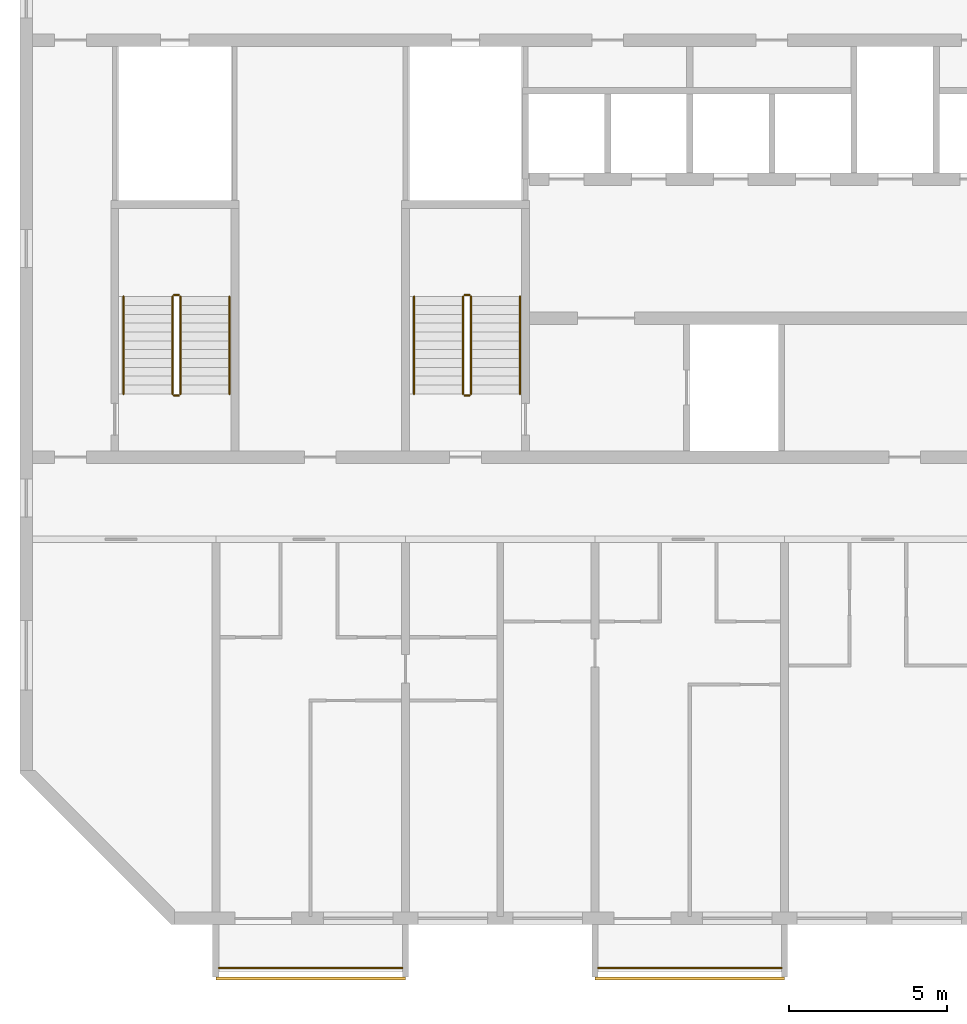
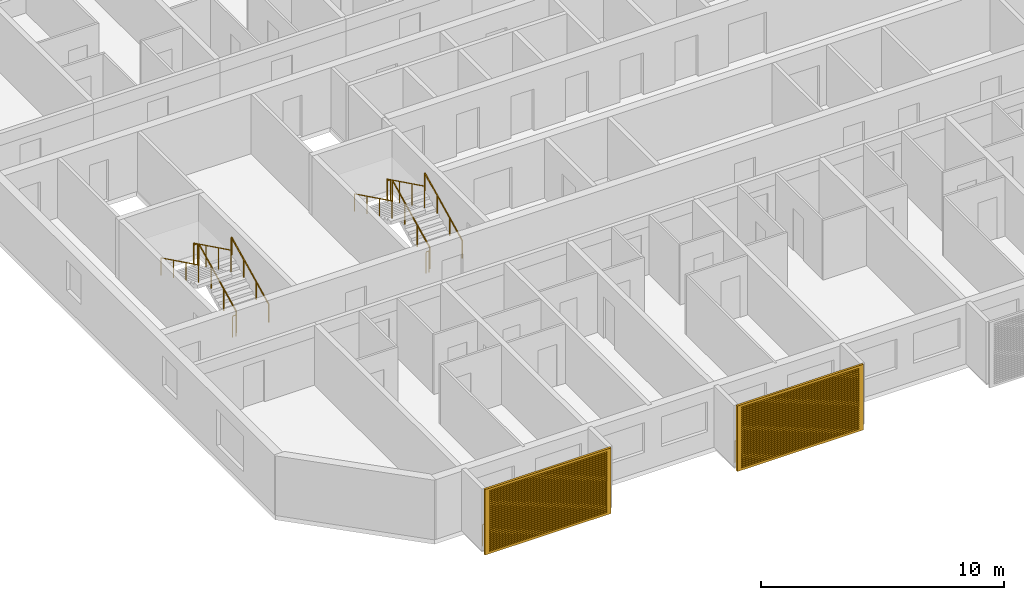
# One storey, part 13 of 27: 14 railings, 2 shading devices.
"""IFC4 building model written with IfcOpenShell, lengths in metres."""

from ifc_helpers import new_model, si_unit, direction, frame, origin, origin_2d, place, context, subcontext, project, spatial, polyline, circle, outline, extrude, source, transform, mapped, material, material_profile, profile_set, type_object, element, save


model = new_model("IFC4")

# Units and contexts
model_context = context("Model", 3, precision=1e-05, world=origin(), true_north=direction((0.0, 1.0)))
body_context = subcontext(model_context, "Body", "Model", "MODEL_VIEW")
ifc_project = project(units=[si_unit("LENGTHUNIT", "METRE"), si_unit("AREAUNIT", "SQUARE_METRE"), si_unit("VOLUMEUNIT", "CUBIC_METRE"), si_unit("PLANEANGLEUNIT", "RADIAN"), si_unit("MASSUNIT", "GRAM", prefix="KILO")], contexts=[model_context])

# Site, building, storey
site_placement = place(None, origin())
site = spatial("IfcSite", under=ifc_project, at=site_placement, CompositionType="ELEMENT")
building_placement = place(site_placement, origin())
building = spatial("IfcBuilding", under=site, at=building_placement, Name="Poui Terraces", CompositionType="ELEMENT")
storey_placement = place(building_placement, frame((0.0, 0.0, 208.199951171875)))
storey = spatial("IfcBuildingStorey", under=building, at=storey_placement, Name="L58", CompositionType="ELEMENT", Elevation=208.199951171875)

# Railings
ifc_material_1 = material(Name="Painted steel fretwork", Category="steel")
railing_type_1 = type_object("IfcRailingType", Name="BALCONY GUARD 1100", PredefinedType="GUARDRAIL", material=ifc_material_1)
for number, where, name in (
    (1, (24.10009765625, -1.570068359375, 0.0), "BALCONY GUARD"),
    (2, (36.10009765625, -1.570068359375, 0.0), "BALCONY GUARD"),
):
    element("IfcRailing", number, at=place(storey_placement, frame(where)), inside=storey, type_object=railing_type_1, Name=name, PredefinedType="GUARDRAIL", context=body_context, shape_type="SweptSolid", body=[
        extrude(circle(Radius=0.02392578125, at=origin_2d()), frame((0.0, 0.0, 1.076171875), z_axis=(1.0, 0.0, 0.0), x_axis=(0.0, 1.0, 0.0)), (0.0, 0.0, 1.0), 5.7998046875),
        extrude(circle(Radius=0.02099609375, at=origin_2d()), origin(), (0.0, 0.0, 1.0), 1.052001953125),
        extrude(circle(Radius=0.02099609375, at=origin_2d()), frame((0.966552734375, 0.0, 0.0)), (0.0, 0.0, 1.0), 1.052001953125),
        extrude(circle(Radius=0.02099609375, at=origin_2d()), frame((1.933349609375, 0.0, 0.0)), (0.0, 0.0, 1.0), 1.052001953125),
        extrude(circle(Radius=0.02099609375, at=origin_2d()), frame((2.89990234375, 0.0, 0.0)), (0.0, 0.0, 1.0), 1.052001953125),
        extrude(circle(Radius=0.02099609375, at=origin_2d()), frame((3.866455078125, 0.0, 0.0)), (0.0, 0.0, 1.0), 1.052001953125),
        extrude(circle(Radius=0.02099609375, at=origin_2d()), frame((4.833251953125, 0.0, 0.0)), (0.0, 0.0, 1.0), 1.052001953125),
        extrude(circle(Radius=0.02099609375, at=origin_2d()), frame((5.7998046875, 0.0, 0.0)), (0.0, 0.0, 1.0), 1.052001953125),
    ])
ifc_material_2 = material(Name="Galvanised steel balustrade", Category="steel")
railing_type_2 = type_object("IfcRailingType", Name="STAIR GUARD 1100", PredefinedType="GUARDRAIL", material=ifc_material_2)
railing_1_placement = place(storey_placement, frame((32.074951171875, 16.60009765625, 0.137451171875)))
element("IfcRailing", 3, at=railing_1_placement, inside=storey, type_object=railing_type_2, Name="L58 ST-CW stair guard 1", PredefinedType="GUARDRAIL", context=body_context, shape_type="SweptSolid", body=[
    extrude(circle(Radius=0.02392578125, at=origin_2d()), frame((0.0, 0.0, 1.076171875), z_axis=(0.0, 0.897578036475, 0.440855609512), x_axis=(-1.0, 0.0, 0.0)), (0.0, 0.0, 1.0), 3.43115234375),
    extrude(circle(Radius=0.02099609375, at=origin_2d()), origin(), (0.0, 0.0, 1.0), 1.052001953125),
    extrude(circle(Radius=0.02099609375, at=origin_2d()), frame((0.0, 1.026611328125, 0.504150390625)), (0.0, 0.0, 1.0), 1.052001953125),
    extrude(circle(Radius=0.02099609375, at=origin_2d()), frame((0.0, 2.05322265625, 1.008544921875)), (0.0, 0.0, 1.0), 1.052001953125),
    extrude(circle(Radius=0.02099609375, at=origin_2d()), frame((0.0, 3.079833984375, 1.5126953125)), (0.0, 0.0, 1.0), 1.052001953125),
])
railing_2_placement = place(storey_placement, frame((32.02490234375, 19.72998046875, 1.650146484375)))
element("IfcRailing", 4, at=railing_2_placement, inside=storey, type_object=railing_type_2, Name="L58 ST-CW stair guard 2", PredefinedType="GUARDRAIL", context=body_context, shape_type="SweptSolid", body=[
    extrude(circle(Radius=0.02392578125, at=origin_2d()), frame((0.0, 0.0, 1.076171875), z_axis=(-1.0, 0.0, 0.0), x_axis=(0.0, -1.0, 0.0)), (0.0, 0.0, 1.0), 0.14990234375),
    extrude(circle(Radius=0.02099609375, at=origin_2d()), origin(), (0.0, 0.0, 1.0), 1.052001953125),
    extrude(circle(Radius=0.02099609375, at=origin_2d()), frame((-0.14990234375, 0.0, 0.0)), (0.0, 0.0, 1.0), 1.052001953125),
])
railing_3_placement = place(storey_placement, frame((31.824951171875, 19.679931640625, 1.78759765625)))
element("IfcRailing", 5, at=railing_3_placement, inside=storey, type_object=railing_type_2, Name="L58 ST-CW stair guard 3", PredefinedType="GUARDRAIL", context=body_context, shape_type="SweptSolid", body=[
    extrude(circle(Radius=0.02392578125, at=origin_2d()), frame((0.0, 0.0, 1.076171875), z_axis=(0.0, -0.897606190399, 0.440798283751), x_axis=(1.0, 0.0, 0.0)), (0.0, 0.0, 1.0), 3.43115234375),
    extrude(circle(Radius=0.02099609375, at=origin_2d()), origin(), (0.0, 0.0, 1.0), 1.052001953125),
    extrude(circle(Radius=0.02099609375, at=origin_2d()), frame((0.0, -1.026611328125, 0.504150390625)), (0.0, 0.0, 1.0), 1.052001953125),
    extrude(circle(Radius=0.02099609375, at=origin_2d()), frame((0.0, -2.05322265625, 1.00830078125)), (0.0, 0.0, 1.0), 1.052001953125),
    extrude(circle(Radius=0.02099609375, at=origin_2d()), frame((0.0, -3.079833984375, 1.512451171875)), (0.0, 0.0, 1.0), 1.052001953125),
])
railing_4_placement = place(storey_placement, frame((32.02490234375, 16.550048828125, 0.0)))
element("IfcRailing", 6, at=railing_4_placement, inside=storey, type_object=railing_type_2, Name="L58 ST-CW stair guard 4", PredefinedType="GUARDRAIL", context=body_context, shape_type="SweptSolid", body=[
    extrude(circle(Radius=0.02392578125, at=origin_2d()), frame((0.0, 0.0, 1.076171875), z_axis=(-1.0, 0.0, 0.0), x_axis=(0.0, -1.0, 0.0)), (0.0, 0.0, 1.0), 0.14990234375),
    extrude(circle(Radius=0.02099609375, at=origin_2d()), origin(), (0.0, 0.0, 1.0), 1.052001953125),
    extrude(circle(Radius=0.02099609375, at=origin_2d()), frame((-0.14990234375, 0.0, 0.0)), (0.0, 0.0, 1.0), 1.052001953125),
])
railing_5_placement = place(storey_placement, frame((22.875, 16.60009765625, 0.137451171875)))
element("IfcRailing", 7, at=railing_5_placement, inside=storey, type_object=railing_type_2, Name="L58 ST-W stair guard 1", PredefinedType="GUARDRAIL", context=body_context, shape_type="SweptSolid", body=[
    extrude(circle(Radius=0.02392578125, at=origin_2d()), frame((0.0, 0.0, 1.076171875), z_axis=(0.0, 0.897578036475, 0.440855609512), x_axis=(-1.0, 0.0, 0.0)), (0.0, 0.0, 1.0), 3.43115234375),
    extrude(circle(Radius=0.02099609375, at=origin_2d()), origin(), (0.0, 0.0, 1.0), 1.052001953125),
    extrude(circle(Radius=0.02099609375, at=origin_2d()), frame((0.0, 1.026611328125, 0.504150390625)), (0.0, 0.0, 1.0), 1.052001953125),
    extrude(circle(Radius=0.02099609375, at=origin_2d()), frame((0.0, 2.05322265625, 1.008544921875)), (0.0, 0.0, 1.0), 1.052001953125),
    extrude(circle(Radius=0.02099609375, at=origin_2d()), frame((0.0, 3.079833984375, 1.5126953125)), (0.0, 0.0, 1.0), 1.052001953125),
])
railing_6_placement = place(storey_placement, frame((22.824951171875, 19.72998046875, 1.650146484375)))
element("IfcRailing", 8, at=railing_6_placement, inside=storey, type_object=railing_type_2, Name="L58 ST-W stair guard 2", PredefinedType="GUARDRAIL", context=body_context, shape_type="SweptSolid", body=[
    extrude(circle(Radius=0.02392578125, at=origin_2d()), frame((0.0, 0.0, 1.076171875), z_axis=(-1.0, 0.0, 0.0), x_axis=(0.0, -1.0, 0.0)), (0.0, 0.0, 1.0), 0.14990234375),
    extrude(circle(Radius=0.02099609375, at=origin_2d()), origin(), (0.0, 0.0, 1.0), 1.052001953125),
    extrude(circle(Radius=0.02099609375, at=origin_2d()), frame((-0.14990234375, 0.0, 0.0)), (0.0, 0.0, 1.0), 1.052001953125),
])
railing_7_placement = place(storey_placement, frame((22.625, 19.679931640625, 1.78759765625)))
element("IfcRailing", 9, at=railing_7_placement, inside=storey, type_object=railing_type_2, Name="L58 ST-W stair guard 3", PredefinedType="GUARDRAIL", context=body_context, shape_type="SweptSolid", body=[
    extrude(circle(Radius=0.02392578125, at=origin_2d()), frame((0.0, 0.0, 1.076171875), z_axis=(0.0, -0.897606190399, 0.440798283751), x_axis=(1.0, 0.0, 0.0)), (0.0, 0.0, 1.0), 3.43115234375),
    extrude(circle(Radius=0.02099609375, at=origin_2d()), origin(), (0.0, 0.0, 1.0), 1.052001953125),
    extrude(circle(Radius=0.02099609375, at=origin_2d()), frame((0.0, -1.026611328125, 0.504150390625)), (0.0, 0.0, 1.0), 1.052001953125),
    extrude(circle(Radius=0.02099609375, at=origin_2d()), frame((0.0, -2.05322265625, 1.00830078125)), (0.0, 0.0, 1.0), 1.052001953125),
    extrude(circle(Radius=0.02099609375, at=origin_2d()), frame((0.0, -3.079833984375, 1.512451171875)), (0.0, 0.0, 1.0), 1.052001953125),
])
railing_8_placement = place(storey_placement, frame((22.824951171875, 16.550048828125, 0.0)))
element("IfcRailing", 10, at=railing_8_placement, inside=storey, type_object=railing_type_2, Name="L58 ST-W stair guard 4", PredefinedType="GUARDRAIL", context=body_context, shape_type="SweptSolid", body=[
    extrude(circle(Radius=0.02392578125, at=origin_2d()), frame((0.0, 0.0, 1.076171875), z_axis=(-1.0, 0.0, 0.0), x_axis=(0.0, -1.0, 0.0)), (0.0, 0.0, 1.0), 0.14990234375),
    extrude(circle(Radius=0.02099609375, at=origin_2d()), origin(), (0.0, 0.0, 1.0), 1.052001953125),
    extrude(circle(Radius=0.02099609375, at=origin_2d()), frame((-0.14990234375, 0.0, 0.0)), (0.0, 0.0, 1.0), 1.052001953125),
])
ifc_material_3 = material(Name="Stainless steel handrail", Category="steel")
railing_type_3 = type_object("IfcRailingType", Name="STAIR HANDRAIL 900", PredefinedType="HANDRAIL", material=ifc_material_3)
railing_9_placement = place(storey_placement, frame((33.625, 16.60009765625, 0.137451171875)))
element("IfcRailing", 11, at=railing_9_placement, inside=storey, type_object=railing_type_3, Name="L58 ST-CW stair handrail 1", PredefinedType="HANDRAIL", context=body_context, shape_type="SweptSolid", body=[
    extrude(circle(Radius=0.02392578125, at=origin_2d()), frame((0.0, 0.0, 0.8759765625), z_axis=(0.0, 0.897578036475, 0.440855609512), x_axis=(-1.0, 0.0, 0.0)), (0.0, 0.0, 1.0), 3.43115234375),
    extrude(circle(Radius=0.02099609375, at=origin_2d()), origin(), (0.0, 0.0, 1.0), 0.851806640625),
    extrude(circle(Radius=0.02099609375, at=origin_2d()), frame((0.0, 1.026611328125, 0.504150390625)), (0.0, 0.0, 1.0), 0.851806640625),
    extrude(circle(Radius=0.02099609375, at=origin_2d()), frame((0.0, 2.05322265625, 1.008544921875)), (0.0, 0.0, 1.0), 0.851806640625),
    extrude(circle(Radius=0.02099609375, at=origin_2d()), frame((0.0, 3.079833984375, 1.5126953125)), (0.0, 0.0, 1.0), 0.851806640625),
])
railing_10_placement = place(storey_placement, frame((30.27490234375, 19.679931640625, 1.78759765625)))
element("IfcRailing", 12, at=railing_10_placement, inside=storey, type_object=railing_type_3, Name="L58 ST-CW stair handrail 2", PredefinedType="HANDRAIL", context=body_context, shape_type="SweptSolid", body=[
    extrude(circle(Radius=0.02392578125, at=origin_2d()), frame((0.0, 0.0, 0.8759765625), z_axis=(0.0, -0.897606190399, 0.440798283751), x_axis=(1.0, 0.0, 0.0)), (0.0, 0.0, 1.0), 3.43115234375),
    extrude(circle(Radius=0.02099609375, at=origin_2d()), origin(), (0.0, 0.0, 1.0), 0.851806640625),
    extrude(circle(Radius=0.02099609375, at=origin_2d()), frame((0.0, -1.026611328125, 0.504150390625)), (0.0, 0.0, 1.0), 0.851806640625),
    extrude(circle(Radius=0.02099609375, at=origin_2d()), frame((0.0, -2.05322265625, 1.00830078125)), (0.0, 0.0, 1.0), 0.851806640625),
    extrude(circle(Radius=0.02099609375, at=origin_2d()), frame((0.0, -3.079833984375, 1.512451171875)), (0.0, 0.0, 1.0), 0.851806640625),
])
railing_11_placement = place(storey_placement, frame((24.425048828125, 16.60009765625, 0.137451171875)))
element("IfcRailing", 13, at=railing_11_placement, inside=storey, type_object=railing_type_3, Name="L58 ST-W stair handrail 1", PredefinedType="HANDRAIL", context=body_context, shape_type="SweptSolid", body=[
    extrude(circle(Radius=0.02392578125, at=origin_2d()), frame((0.0, 0.0, 0.8759765625), z_axis=(0.0, 0.897578036475, 0.440855609512), x_axis=(-1.0, 0.0, 0.0)), (0.0, 0.0, 1.0), 3.43115234375),
    extrude(circle(Radius=0.02099609375, at=origin_2d()), origin(), (0.0, 0.0, 1.0), 0.851806640625),
    extrude(circle(Radius=0.02099609375, at=origin_2d()), frame((0.0, 1.026611328125, 0.504150390625)), (0.0, 0.0, 1.0), 0.851806640625),
    extrude(circle(Radius=0.02099609375, at=origin_2d()), frame((0.0, 2.05322265625, 1.008544921875)), (0.0, 0.0, 1.0), 0.851806640625),
    extrude(circle(Radius=0.02099609375, at=origin_2d()), frame((0.0, 3.079833984375, 1.5126953125)), (0.0, 0.0, 1.0), 0.851806640625),
])
railing_12_placement = place(storey_placement, frame((21.074951171875, 19.679931640625, 1.78759765625)))
element("IfcRailing", 14, at=railing_12_placement, inside=storey, type_object=railing_type_3, Name="L58 ST-W stair handrail 2", PredefinedType="HANDRAIL", context=body_context, shape_type="SweptSolid", body=[
    extrude(circle(Radius=0.02392578125, at=origin_2d()), frame((0.0, 0.0, 0.8759765625), z_axis=(0.0, -0.897606190399, 0.440798283751), x_axis=(1.0, 0.0, 0.0)), (0.0, 0.0, 1.0), 3.43115234375),
    extrude(circle(Radius=0.02099609375, at=origin_2d()), origin(), (0.0, 0.0, 1.0), 0.851806640625),
    extrude(circle(Radius=0.02099609375, at=origin_2d()), frame((0.0, -1.026611328125, 0.504150390625)), (0.0, 0.0, 1.0), 0.851806640625),
    extrude(circle(Radius=0.02099609375, at=origin_2d()), frame((0.0, -2.05322265625, 1.00830078125)), (0.0, 0.0, 1.0), 0.851806640625),
    extrude(circle(Radius=0.02099609375, at=origin_2d()), frame((0.0, -3.079833984375, 1.512451171875)), (0.0, 0.0, 1.0), 0.851806640625),
])

# Shading devices
ifc_material_4 = material(Name="Aluminium louvre", Category="aluminium")
ifc_material_profile = material_profile(ifc_material_4, outline(polyline([(-3.0, -1.64990234375), (3.0, -1.64990234375), (3.0, 1.64990234375), (-3.0, 1.64990234375), (-3.0, -1.64990234375)]), holes=[polyline([(-2.800048828125, -1.530029296875), (2.800048828125, -1.530029296875), (2.800048828125, -1.469970703125), (-2.800048828125, -1.469970703125), (-2.800048828125, -1.530029296875)]), polyline([(-2.800048828125, -1.429931640625), (2.800048828125, -1.429931640625), (2.800048828125, -1.3701171875), (-2.800048828125, -1.3701171875), (-2.800048828125, -1.429931640625)]), polyline([(-2.800048828125, -1.330078125), (2.800048828125, -1.330078125), (2.800048828125, -1.27001953125), (-2.800048828125, -1.27001953125), (-2.800048828125, -1.330078125)]), polyline([(-2.800048828125, -1.22998046875), (2.800048828125, -1.22998046875), (2.800048828125, -1.169921875), (-2.800048828125, -1.169921875), (-2.800048828125, -1.22998046875)]), polyline([(-2.800048828125, -1.1298828125), (2.800048828125, -1.1298828125), (2.800048828125, -1.070068359375), (-2.800048828125, -1.070068359375), (-2.800048828125, -1.1298828125)]), polyline([(-2.800048828125, -1.030029296875), (2.800048828125, -1.030029296875), (2.800048828125, -0.969970703125), (-2.800048828125, -0.969970703125), (-2.800048828125, -1.030029296875)]), polyline([(-2.800048828125, -0.929931640625), (2.800048828125, -0.929931640625), (2.800048828125, -0.8701171875), (-2.800048828125, -0.8701171875), (-2.800048828125, -0.929931640625)]), polyline([(-2.800048828125, -0.830078125), (2.800048828125, -0.830078125), (2.800048828125, -0.77001953125), (-2.800048828125, -0.77001953125), (-2.800048828125, -0.830078125)]), polyline([(-2.800048828125, -0.72998046875), (2.800048828125, -0.72998046875), (2.800048828125, -0.669921875), (-2.800048828125, -0.669921875), (-2.800048828125, -0.72998046875)]), polyline([(-2.800048828125, -0.6298828125), (2.800048828125, -0.6298828125), (2.800048828125, -0.570068359375), (-2.800048828125, -0.570068359375), (-2.800048828125, -0.6298828125)]), polyline([(-2.800048828125, -0.530029296875), (2.800048828125, -0.530029296875), (2.800048828125, -0.469970703125), (-2.800048828125, -0.469970703125), (-2.800048828125, -0.530029296875)]), polyline([(-2.800048828125, -0.429931640625), (2.800048828125, -0.429931640625), (2.800048828125, -0.3701171875), (-2.800048828125, -0.3701171875), (-2.800048828125, -0.429931640625)]), polyline([(-2.800048828125, -0.330078125), (2.800048828125, -0.330078125), (2.800048828125, -0.27001953125), (-2.800048828125, -0.27001953125), (-2.800048828125, -0.330078125)]), polyline([(-2.800048828125, -0.22998046875), (2.800048828125, -0.22998046875), (2.800048828125, -0.169921875), (-2.800048828125, -0.169921875), (-2.800048828125, -0.22998046875)]), polyline([(-2.800048828125, -0.1298828125), (2.800048828125, -0.1298828125), (2.800048828125, -0.070068359375), (-2.800048828125, -0.070068359375), (-2.800048828125, -0.1298828125)]), polyline([(-2.800048828125, -0.030029296875), (2.800048828125, -0.030029296875), (2.800048828125, 0.030029296875), (-2.800048828125, 0.030029296875), (-2.800048828125, -0.030029296875)]), polyline([(-2.800048828125, 0.070068359375), (2.800048828125, 0.070068359375), (2.800048828125, 0.1298828125), (-2.800048828125, 0.1298828125), (-2.800048828125, 0.070068359375)]), polyline([(-2.800048828125, 0.169921875), (2.800048828125, 0.169921875), (2.800048828125, 0.22998046875), (-2.800048828125, 0.22998046875), (-2.800048828125, 0.169921875)]), polyline([(-2.800048828125, 0.27001953125), (2.800048828125, 0.27001953125), (2.800048828125, 0.330078125), (-2.800048828125, 0.330078125), (-2.800048828125, 0.27001953125)]), polyline([(-2.800048828125, 0.3701171875), (2.800048828125, 0.3701171875), (2.800048828125, 0.429931640625), (-2.800048828125, 0.429931640625), (-2.800048828125, 0.3701171875)]), polyline([(-2.800048828125, 0.469970703125), (2.800048828125, 0.469970703125), (2.800048828125, 0.530029296875), (-2.800048828125, 0.530029296875), (-2.800048828125, 0.469970703125)]), polyline([(-2.800048828125, 0.570068359375), (2.800048828125, 0.570068359375), (2.800048828125, 0.6298828125), (-2.800048828125, 0.6298828125), (-2.800048828125, 0.570068359375)]), polyline([(-2.800048828125, 0.669921875), (2.800048828125, 0.669921875), (2.800048828125, 0.72998046875), (-2.800048828125, 0.72998046875), (-2.800048828125, 0.669921875)]), polyline([(-2.800048828125, 0.77001953125), (2.800048828125, 0.77001953125), (2.800048828125, 0.830078125), (-2.800048828125, 0.830078125), (-2.800048828125, 0.77001953125)]), polyline([(-2.800048828125, 0.8701171875), (2.800048828125, 0.8701171875), (2.800048828125, 0.929931640625), (-2.800048828125, 0.929931640625), (-2.800048828125, 0.8701171875)]), polyline([(-2.800048828125, 0.969970703125), (2.800048828125, 0.969970703125), (2.800048828125, 1.030029296875), (-2.800048828125, 1.030029296875), (-2.800048828125, 0.969970703125)]), polyline([(-2.800048828125, 1.070068359375), (2.800048828125, 1.070068359375), (2.800048828125, 1.1298828125), (-2.800048828125, 1.1298828125), (-2.800048828125, 1.070068359375)]), polyline([(-2.800048828125, 1.169921875), (2.800048828125, 1.169921875), (2.800048828125, 1.22998046875), (-2.800048828125, 1.22998046875), (-2.800048828125, 1.169921875)]), polyline([(-2.800048828125, 1.27001953125), (2.800048828125, 1.27001953125), (2.800048828125, 1.330078125), (-2.800048828125, 1.330078125), (-2.800048828125, 1.27001953125)]), polyline([(-2.800048828125, 1.3701171875), (2.800048828125, 1.3701171875), (2.800048828125, 1.429931640625), (-2.800048828125, 1.429931640625), (-2.800048828125, 1.3701171875)]), polyline([(-2.800048828125, 1.469970703125), (2.800048828125, 1.469970703125), (2.800048828125, 1.530029296875), (-2.800048828125, 1.530029296875), (-2.800048828125, 1.469970703125)])]), Name="JALOUSIE LOUVRE SHUTTER 6000X3300")
ifc_profile_set = profile_set([ifc_material_profile], Name="Aluminium louvre")
shading_device_type = type_object("IfcShadingDeviceType", Name="JALOUSIE LOUVRE SHUTTER 6000X3300", PredefinedType="JALOUSIE", material=ifc_profile_set)
shared_shape = source(origin(), body_context, "Body", "SweptSolid", [
    extrude(outline(polyline([(-3.0, -1.64990234375), (3.0, -1.64990234375), (3.0, 1.64990234375), (-3.0, 1.64990234375), (-3.0, -1.64990234375)]), holes=[polyline([(-2.800048828125, -1.530029296875), (2.800048828125, -1.530029296875), (2.800048828125, -1.469970703125), (-2.800048828125, -1.469970703125), (-2.800048828125, -1.530029296875)]), polyline([(-2.800048828125, -1.429931640625), (2.800048828125, -1.429931640625), (2.800048828125, -1.3701171875), (-2.800048828125, -1.3701171875), (-2.800048828125, -1.429931640625)]), polyline([(-2.800048828125, -1.330078125), (2.800048828125, -1.330078125), (2.800048828125, -1.27001953125), (-2.800048828125, -1.27001953125), (-2.800048828125, -1.330078125)]), polyline([(-2.800048828125, -1.22998046875), (2.800048828125, -1.22998046875), (2.800048828125, -1.169921875), (-2.800048828125, -1.169921875), (-2.800048828125, -1.22998046875)]), polyline([(-2.800048828125, -1.1298828125), (2.800048828125, -1.1298828125), (2.800048828125, -1.070068359375), (-2.800048828125, -1.070068359375), (-2.800048828125, -1.1298828125)]), polyline([(-2.800048828125, -1.030029296875), (2.800048828125, -1.030029296875), (2.800048828125, -0.969970703125), (-2.800048828125, -0.969970703125), (-2.800048828125, -1.030029296875)]), polyline([(-2.800048828125, -0.929931640625), (2.800048828125, -0.929931640625), (2.800048828125, -0.8701171875), (-2.800048828125, -0.8701171875), (-2.800048828125, -0.929931640625)]), polyline([(-2.800048828125, -0.830078125), (2.800048828125, -0.830078125), (2.800048828125, -0.77001953125), (-2.800048828125, -0.77001953125), (-2.800048828125, -0.830078125)]), polyline([(-2.800048828125, -0.72998046875), (2.800048828125, -0.72998046875), (2.800048828125, -0.669921875), (-2.800048828125, -0.669921875), (-2.800048828125, -0.72998046875)]), polyline([(-2.800048828125, -0.6298828125), (2.800048828125, -0.6298828125), (2.800048828125, -0.570068359375), (-2.800048828125, -0.570068359375), (-2.800048828125, -0.6298828125)]), polyline([(-2.800048828125, -0.530029296875), (2.800048828125, -0.530029296875), (2.800048828125, -0.469970703125), (-2.800048828125, -0.469970703125), (-2.800048828125, -0.530029296875)]), polyline([(-2.800048828125, -0.429931640625), (2.800048828125, -0.429931640625), (2.800048828125, -0.3701171875), (-2.800048828125, -0.3701171875), (-2.800048828125, -0.429931640625)]), polyline([(-2.800048828125, -0.330078125), (2.800048828125, -0.330078125), (2.800048828125, -0.27001953125), (-2.800048828125, -0.27001953125), (-2.800048828125, -0.330078125)]), polyline([(-2.800048828125, -0.22998046875), (2.800048828125, -0.22998046875), (2.800048828125, -0.169921875), (-2.800048828125, -0.169921875), (-2.800048828125, -0.22998046875)]), polyline([(-2.800048828125, -0.1298828125), (2.800048828125, -0.1298828125), (2.800048828125, -0.070068359375), (-2.800048828125, -0.070068359375), (-2.800048828125, -0.1298828125)]), polyline([(-2.800048828125, -0.030029296875), (2.800048828125, -0.030029296875), (2.800048828125, 0.030029296875), (-2.800048828125, 0.030029296875), (-2.800048828125, -0.030029296875)]), polyline([(-2.800048828125, 0.070068359375), (2.800048828125, 0.070068359375), (2.800048828125, 0.1298828125), (-2.800048828125, 0.1298828125), (-2.800048828125, 0.070068359375)]), polyline([(-2.800048828125, 0.169921875), (2.800048828125, 0.169921875), (2.800048828125, 0.22998046875), (-2.800048828125, 0.22998046875), (-2.800048828125, 0.169921875)]), polyline([(-2.800048828125, 0.27001953125), (2.800048828125, 0.27001953125), (2.800048828125, 0.330078125), (-2.800048828125, 0.330078125), (-2.800048828125, 0.27001953125)]), polyline([(-2.800048828125, 0.3701171875), (2.800048828125, 0.3701171875), (2.800048828125, 0.429931640625), (-2.800048828125, 0.429931640625), (-2.800048828125, 0.3701171875)]), polyline([(-2.800048828125, 0.469970703125), (2.800048828125, 0.469970703125), (2.800048828125, 0.530029296875), (-2.800048828125, 0.530029296875), (-2.800048828125, 0.469970703125)]), polyline([(-2.800048828125, 0.570068359375), (2.800048828125, 0.570068359375), (2.800048828125, 0.6298828125), (-2.800048828125, 0.6298828125), (-2.800048828125, 0.570068359375)]), polyline([(-2.800048828125, 0.669921875), (2.800048828125, 0.669921875), (2.800048828125, 0.72998046875), (-2.800048828125, 0.72998046875), (-2.800048828125, 0.669921875)]), polyline([(-2.800048828125, 0.77001953125), (2.800048828125, 0.77001953125), (2.800048828125, 0.830078125), (-2.800048828125, 0.830078125), (-2.800048828125, 0.77001953125)]), polyline([(-2.800048828125, 0.8701171875), (2.800048828125, 0.8701171875), (2.800048828125, 0.929931640625), (-2.800048828125, 0.929931640625), (-2.800048828125, 0.8701171875)]), polyline([(-2.800048828125, 0.969970703125), (2.800048828125, 0.969970703125), (2.800048828125, 1.030029296875), (-2.800048828125, 1.030029296875), (-2.800048828125, 0.969970703125)]), polyline([(-2.800048828125, 1.070068359375), (2.800048828125, 1.070068359375), (2.800048828125, 1.1298828125), (-2.800048828125, 1.1298828125), (-2.800048828125, 1.070068359375)]), polyline([(-2.800048828125, 1.169921875), (2.800048828125, 1.169921875), (2.800048828125, 1.22998046875), (-2.800048828125, 1.22998046875), (-2.800048828125, 1.169921875)]), polyline([(-2.800048828125, 1.27001953125), (2.800048828125, 1.27001953125), (2.800048828125, 1.330078125), (-2.800048828125, 1.330078125), (-2.800048828125, 1.27001953125)]), polyline([(-2.800048828125, 1.3701171875), (2.800048828125, 1.3701171875), (2.800048828125, 1.429931640625), (-2.800048828125, 1.429931640625), (-2.800048828125, 1.3701171875)]), polyline([(-2.800048828125, 1.469970703125), (2.800048828125, 1.469970703125), (2.800048828125, 1.530029296875), (-2.800048828125, 1.530029296875), (-2.800048828125, 1.469970703125)])]), origin(), (0.0, 0.0, 1.0), 0.099853515625),
])
for number, where, z_axis, x_axis, name in (
    (15, (27.0, -1.85009765625, 1.449951171875), (0.0, -1.0, 0.0), (1.0, 0.0, 0.0), "JALOUSIE LOUVRE SHUTTER"),
    (16, (39.0, -1.85009765625, 1.449951171875), (0.0, -1.0, 0.0), (1.0, 0.0, 0.0), "JALOUSIE LOUVRE SHUTTER"),
):
    element("IfcShadingDevice", number, at=place(storey_placement, frame(where, z_axis=z_axis, x_axis=x_axis)), inside=storey, type_object=shading_device_type, Name=name, PredefinedType="JALOUSIE", context=body_context, shape_type="MappedRepresentation", body=[
        mapped(shared_shape, transform((0.0, 0.0, 0.0))),
    ])

save(model, "model.ifc")
